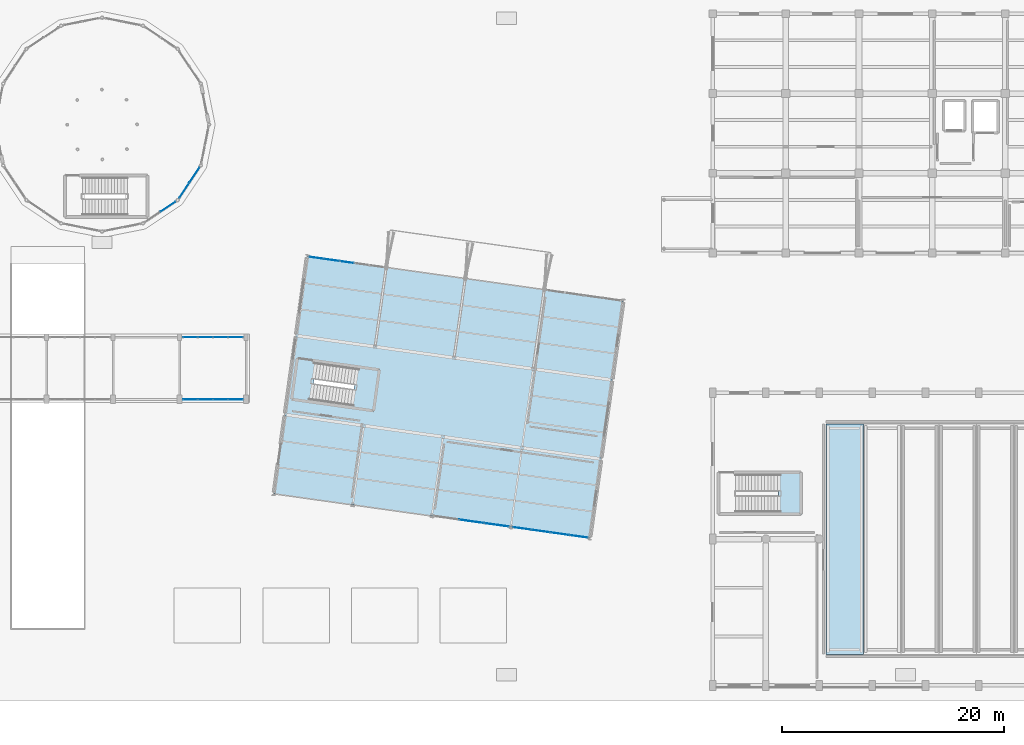
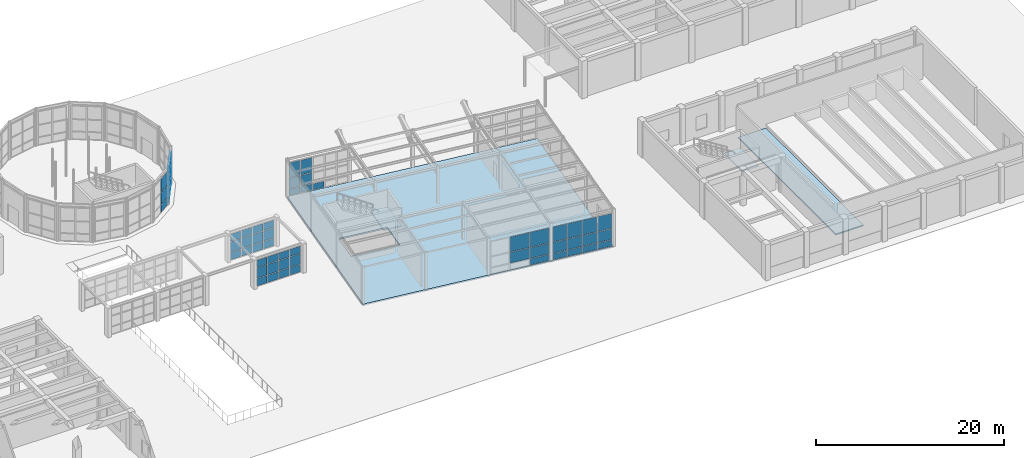
# One storey, part 34 of 57: 57 plates, 4 slabs, 9 elements without a shape of their own.
"""IFC4 building model written with IfcOpenShell, lengths in metres."""

from ifc_helpers import new_model, si_unit, direction, frame, origin, origin_2d, place, context, subcontext, project, spatial, polyline, rectangle, outline, extrude, material, layer, layer_set, type_object, element, aggregate, save


model = new_model("IFC4")

# Units and contexts
model_context = context("Model", 3, precision=1e-05, world=origin(), true_north=direction((0.0, 1.0)))
body_context = subcontext(model_context, "Body", "Model", "MODEL_VIEW")
ifc_project = project(units=[si_unit("LENGTHUNIT", "METRE"), si_unit("AREAUNIT", "SQUARE_METRE"), si_unit("VOLUMEUNIT", "CUBIC_METRE"), si_unit("PLANEANGLEUNIT", "RADIAN"), si_unit("MASSUNIT", "GRAM", prefix="KILO")], contexts=[model_context])

# Site, building, storey
site_placement = place(None, origin())
site = spatial("IfcSite", under=ifc_project, at=site_placement, CompositionType="ELEMENT")
building_placement = place(site_placement, origin())
building = spatial("IfcBuilding", under=site, at=building_placement, Name="Kharisveld Research Institute", CompositionType="ELEMENT")
storey_placement = place(building_placement, origin())
storey = spatial("IfcBuildingStorey", under=building, at=storey_placement, Name="L00", CompositionType="ELEMENT", Elevation=0.0)

# Curtain wall, plates
ifc_material_1 = material(Name="Thermally Broken Aluminium Curtain Wall", Category="aluminium")
ifc_layer_1 = layer(ifc_material_1, 0.159912109375)
ifc_layer_set_1 = layer_set([ifc_layer_1], Name="CW_SYS_03")
curtain_wall_type_1 = type_object("IfcCurtainWallType", Name="CW_SYS_03", PredefinedType="NOTDEFINED", material=ifc_layer_set_1)
curtain_wall_1_placement = place(storey_placement, origin())
curtain_wall_1 = element("IfcCurtainWall", 1, at=curtain_wall_1_placement, inside=storey, type_object=curtain_wall_type_1, Name="CW:V4:L00:N0", PredefinedType="NOTDEFINED")
ifc_material_2 = material(Name="Low-E Double Glazing", Category="glass")
ifc_layer_2 = layer(ifc_material_2, 0.028076171875)
ifc_layer_set_2 = layer_set([ifc_layer_2], Name="CW_PNL_GLZ")
plate_type_1 = type_object("IfcPlateType", Name="CW_PNL_GLZ", PredefinedType="CURTAIN_PANEL", material=ifc_layer_set_2)
plate_1_placement = place(storey_placement, frame((78.851318359375, 38.77099609375, 0.06494140625), z_axis=(0.0, 0.0, 1.0), x_axis=(0.990268070291, -0.139173089933, 0.0)))
plate_1 = element("IfcPlate", 2, at=plate_1_placement, type_object=plate_type_1, Name="CW-03 panel 1.1", PredefinedType="CURTAIN_PANEL", context=body_context, shape_type="SweptSolid", body=[
    extrude(rectangle(XDim=1.277099609375, YDim=0.028076171875, at=origin_2d()), origin(), (0.0, 0.0, 1.0), 0.802490234375),
])
plate_2_placement = place(storey_placement, frame((78.851318359375, 38.77099609375, 0.9326171875), z_axis=(0.0, 0.0, 1.0), x_axis=(0.990268070291, -0.139173089933, 0.0)))
plate_2 = element("IfcPlate", 3, at=plate_2_placement, type_object=plate_type_1, Name="CW-03 panel 1.2", PredefinedType="CURTAIN_PANEL", context=body_context, shape_type="SweptSolid", body=[
    extrude(rectangle(XDim=1.277099609375, YDim=0.028076171875, at=origin_2d()), origin(), (0.0, 0.0, 1.0), 1.385009765625),
])
plate_3_placement = place(storey_placement, frame((78.851318359375, 38.77099609375, 2.38232421875), z_axis=(0.0, 0.0, 1.0), x_axis=(0.990268070291, -0.139173089933, 0.0)))
plate_3 = element("IfcPlate", 4, at=plate_3_placement, type_object=plate_type_1, Name="CW-03 panel 1.3", PredefinedType="CURTAIN_PANEL", context=body_context, shape_type="SweptSolid", body=[
    extrude(rectangle(XDim=1.277099609375, YDim=0.028076171875, at=origin_2d()), origin(), (0.0, 0.0, 1.0), 1.9326171875),
])
plate_4_placement = place(storey_placement, frame((80.20263671875, 38.5810546875, 0.06494140625), z_axis=(0.0, 0.0, 1.0), x_axis=(0.990268070291, -0.139173089933, 0.0)))
plate_4 = element("IfcPlate", 5, at=plate_4_placement, type_object=plate_type_1, Name="CW-03 panel 2.1", PredefinedType="CURTAIN_PANEL", context=body_context, shape_type="SweptSolid", body=[
    extrude(rectangle(XDim=1.31201171875, YDim=0.028076171875, at=origin_2d()), origin(), (0.0, 0.0, 1.0), 0.802490234375),
])
plate_5_placement = place(storey_placement, frame((80.20263671875, 38.5810546875, 0.9326171875), z_axis=(0.0, 0.0, 1.0), x_axis=(0.990268070291, -0.139173089933, 0.0)))
plate_5 = element("IfcPlate", 6, at=plate_5_placement, type_object=plate_type_1, Name="CW-03 panel 2.2", PredefinedType="CURTAIN_PANEL", context=body_context, shape_type="SweptSolid", body=[
    extrude(rectangle(XDim=1.31201171875, YDim=0.028076171875, at=origin_2d()), origin(), (0.0, 0.0, 1.0), 1.385009765625),
])
plate_6_placement = place(storey_placement, frame((80.20263671875, 38.5810546875, 2.38232421875), z_axis=(0.0, 0.0, 1.0), x_axis=(0.990268070291, -0.139173089933, 0.0)))
plate_6 = element("IfcPlate", 7, at=plate_6_placement, type_object=plate_type_1, Name="CW-03 panel 2.3", PredefinedType="CURTAIN_PANEL", context=body_context, shape_type="SweptSolid", body=[
    extrude(rectangle(XDim=1.31201171875, YDim=0.028076171875, at=origin_2d()), origin(), (0.0, 0.0, 1.0), 1.9326171875),
])
plate_7_placement = place(storey_placement, frame((81.571044921875, 38.388671875, 0.06494140625), z_axis=(0.0, 0.0, 1.0), x_axis=(0.990268070291, -0.139173089933, 0.0)))
plate_7 = element("IfcPlate", 8, at=plate_7_placement, type_object=plate_type_1, Name="CW-03 panel 3.1", PredefinedType="CURTAIN_PANEL", context=body_context, shape_type="SweptSolid", body=[
    extrude(rectangle(XDim=1.31201171875, YDim=0.028076171875, at=origin_2d()), origin(), (0.0, 0.0, 1.0), 0.802490234375),
])
aggregate(curtain_wall_1, [plate_1, plate_2, plate_3, plate_4, plate_5, plate_6, plate_7])

ifc_material_3 = material(Name="Thermally Broken Aluminium Curtain Wall", Category="aluminium")
ifc_layer_3 = layer(ifc_material_3, 0.159912109375)
ifc_layer_set_3 = layer_set([ifc_layer_3], Name="CW_SYS_05")
curtain_wall_type_2 = type_object("IfcCurtainWallType", Name="CW_SYS_05", PredefinedType="NOTDEFINED", material=ifc_layer_set_3)
curtain_wall_2_placement = place(storey_placement, origin())
curtain_wall_2 = element("IfcCurtainWall", 9, at=curtain_wall_2_placement, inside=storey, type_object=curtain_wall_type_2, Name="CW:V4:L00:S4", PredefinedType="NOTDEFINED")
plate_8_placement = place(storey_placement, frame((102.50341796875, 13.634521484375, 0.06494140625), z_axis=(0.0, 0.0, 1.0), x_axis=(-0.990268070291, 0.139173089933, 0.0)))
plate_8 = element("IfcPlate", 10, at=plate_8_placement, type_object=plate_type_1, Name="CW-05 panel 1.1", PredefinedType="CURTAIN_PANEL", context=body_context, shape_type="SweptSolid", body=[
    extrude(rectangle(XDim=1.62255859375, YDim=0.028076171875, at=origin_2d()), origin(), (0.0, 0.0, 1.0), 0.802490234375),
])
plate_9_placement = place(storey_placement, frame((102.50341796875, 13.634521484375, 0.9326171875), z_axis=(0.0, 0.0, 1.0), x_axis=(-0.990268070291, 0.139173089933, 0.0)))
plate_9 = element("IfcPlate", 11, at=plate_9_placement, type_object=plate_type_1, Name="CW-05 panel 1.2", PredefinedType="CURTAIN_PANEL", context=body_context, shape_type="SweptSolid", body=[
    extrude(rectangle(XDim=1.62255859375, YDim=0.028076171875, at=origin_2d()), origin(), (0.0, 0.0, 1.0), 1.385009765625),
])
plate_10_placement = place(storey_placement, frame((102.50341796875, 13.634521484375, 2.38232421875), z_axis=(0.0, 0.0, 1.0), x_axis=(-0.990268070291, 0.139173089933, 0.0)))
plate_10 = element("IfcPlate", 12, at=plate_10_placement, type_object=plate_type_1, Name="CW-05 panel 1.3", PredefinedType="CURTAIN_PANEL", context=body_context, shape_type="SweptSolid", body=[
    extrude(rectangle(XDim=1.62255859375, YDim=0.028076171875, at=origin_2d()), origin(), (0.0, 0.0, 1.0), 1.9326171875),
])
plate_11_placement = place(storey_placement, frame((100.81005859375, 13.87255859375, 0.06494140625), z_axis=(0.0, 0.0, 1.0), x_axis=(-0.990268070291, 0.139173089933, 0.0)))
plate_11 = element("IfcPlate", 13, at=plate_11_placement, type_object=plate_type_1, Name="CW-05 panel 2.1", PredefinedType="CURTAIN_PANEL", context=body_context, shape_type="SweptSolid", body=[
    extrude(rectangle(XDim=1.657470703125, YDim=0.028076171875, at=origin_2d()), origin(), (0.0, 0.0, 1.0), 0.802490234375),
])
plate_12_placement = place(storey_placement, frame((100.81005859375, 13.87255859375, 0.9326171875), z_axis=(0.0, 0.0, 1.0), x_axis=(-0.990268070291, 0.139173089933, 0.0)))
plate_12 = element("IfcPlate", 14, at=plate_12_placement, type_object=plate_type_1, Name="CW-05 panel 2.2", PredefinedType="CURTAIN_PANEL", context=body_context, shape_type="SweptSolid", body=[
    extrude(rectangle(XDim=1.657470703125, YDim=0.028076171875, at=origin_2d()), origin(), (0.0, 0.0, 1.0), 1.385009765625),
])
plate_13_placement = place(storey_placement, frame((100.81005859375, 13.87255859375, 2.38232421875), z_axis=(0.0, 0.0, 1.0), x_axis=(-0.990268070291, 0.139173089933, 0.0)))
plate_13 = element("IfcPlate", 15, at=plate_13_placement, type_object=plate_type_1, Name="CW-05 panel 2.3", PredefinedType="CURTAIN_PANEL", context=body_context, shape_type="SweptSolid", body=[
    extrude(rectangle(XDim=1.657470703125, YDim=0.028076171875, at=origin_2d()), origin(), (0.0, 0.0, 1.0), 1.9326171875),
])
plate_14_placement = place(storey_placement, frame((99.099365234375, 14.113037109375, 0.06494140625), z_axis=(0.0, 0.0, 1.0), x_axis=(-0.990268070291, 0.139173089933, 0.0)))
plate_14 = element("IfcPlate", 16, at=plate_14_placement, type_object=plate_type_1, Name="CW-05 panel 3.1", PredefinedType="CURTAIN_PANEL", context=body_context, shape_type="SweptSolid", body=[
    extrude(rectangle(XDim=1.657470703125, YDim=0.028076171875, at=origin_2d()), origin(), (0.0, 0.0, 1.0), 0.802490234375),
])
plate_15_placement = place(storey_placement, frame((99.099365234375, 14.113037109375, 0.9326171875), z_axis=(0.0, 0.0, 1.0), x_axis=(-0.990268070291, 0.139173089933, 0.0)))
plate_15 = element("IfcPlate", 17, at=plate_15_placement, type_object=plate_type_1, Name="CW-05 panel 3.2", PredefinedType="CURTAIN_PANEL", context=body_context, shape_type="SweptSolid", body=[
    extrude(rectangle(XDim=1.657470703125, YDim=0.028076171875, at=origin_2d()), origin(), (0.0, 0.0, 1.0), 1.385009765625),
])
plate_16_placement = place(storey_placement, frame((99.099365234375, 14.113037109375, 2.38232421875), z_axis=(0.0, 0.0, 1.0), x_axis=(-0.990268070291, 0.139173089933, 0.0)))
plate_16 = element("IfcPlate", 18, at=plate_16_placement, type_object=plate_type_1, Name="CW-05 panel 3.3", PredefinedType="CURTAIN_PANEL", context=body_context, shape_type="SweptSolid", body=[
    extrude(rectangle(XDim=1.657470703125, YDim=0.028076171875, at=origin_2d()), origin(), (0.0, 0.0, 1.0), 1.9326171875),
])
plate_17_placement = place(storey_placement, frame((97.406005859375, 14.35107421875, 0.06494140625), z_axis=(0.0, 0.0, 1.0), x_axis=(-0.990268070291, 0.139173089933, 0.0)))
plate_17 = element("IfcPlate", 19, at=plate_17_placement, type_object=plate_type_1, Name="CW-05 panel 4.1", PredefinedType="CURTAIN_PANEL", context=body_context, shape_type="SweptSolid", body=[
    extrude(rectangle(XDim=1.62255859375, YDim=0.028076171875, at=origin_2d()), origin(), (0.0, 0.0, 1.0), 0.802490234375),
])
plate_18_placement = place(storey_placement, frame((97.406005859375, 14.35107421875, 0.9326171875), z_axis=(0.0, 0.0, 1.0), x_axis=(-0.990268070291, 0.139173089933, 0.0)))
plate_18 = element("IfcPlate", 20, at=plate_18_placement, type_object=plate_type_1, Name="CW-05 panel 4.2", PredefinedType="CURTAIN_PANEL", context=body_context, shape_type="SweptSolid", body=[
    extrude(rectangle(XDim=1.62255859375, YDim=0.028076171875, at=origin_2d()), origin(), (0.0, 0.0, 1.0), 1.385009765625),
])
plate_19_placement = place(storey_placement, frame((97.406005859375, 14.35107421875, 2.38232421875), z_axis=(0.0, 0.0, 1.0), x_axis=(-0.990268070291, 0.139173089933, 0.0)))
plate_19 = element("IfcPlate", 21, at=plate_19_placement, type_object=plate_type_1, Name="CW-05 panel 4.3", PredefinedType="CURTAIN_PANEL", context=body_context, shape_type="SweptSolid", body=[
    extrude(rectangle(XDim=1.62255859375, YDim=0.028076171875, at=origin_2d()), origin(), (0.0, 0.0, 1.0), 1.9326171875),
])
aggregate(curtain_wall_2, [plate_8, plate_9, plate_10, plate_11, plate_12, plate_13, plate_14, plate_15, plate_16, plate_17, plate_18, plate_19])

ifc_material_4 = material(Name="Thermally Broken Aluminium Curtain Wall", Category="aluminium")
ifc_layer_4 = layer(ifc_material_4, 0.159912109375)
ifc_layer_set_4 = layer_set([ifc_layer_4], Name="CW_SYS_04")
curtain_wall_type_3 = type_object("IfcCurtainWallType", Name="CW_SYS_04", PredefinedType="NOTDEFINED", material=ifc_layer_set_4)
curtain_wall_3_placement = place(storey_placement, origin())
curtain_wall_3 = element("IfcCurtainWall", 22, at=curtain_wall_3_placement, inside=storey, type_object=curtain_wall_type_3, Name="CW:V6:L00:CHORD13", PredefinedType="NOTDEFINED")
plate_20_placement = place(storey_placement, frame((65.43798828125, 43.384765625, 0.06005859375), z_axis=(0.0, 0.0, 1.0), x_axis=(-0.831469694616, -0.555570109828, 0.0)))
plate_20 = element("IfcPlate", 23, at=plate_20_placement, type_object=plate_type_1, Name="CW-04 panel 1.1", PredefinedType="CURTAIN_PANEL", context=body_context, shape_type="SweptSolid", body=[
    extrude(rectangle(XDim=1.570068359375, YDim=0.028076171875, at=origin_2d()), origin(), (0.0, 0.0, 1.0), 0.9599609375),
])
plate_21_placement = place(storey_placement, frame((65.43798828125, 43.384765625, 1.080078125), z_axis=(0.0, 0.0, 1.0), x_axis=(-0.831469694616, -0.555570109828, 0.0)))
plate_21 = element("IfcPlate", 24, at=plate_21_placement, type_object=plate_type_1, Name="CW-04 panel 1.2", PredefinedType="CURTAIN_PANEL", context=body_context, shape_type="SweptSolid", body=[
    extrude(rectangle(XDim=1.570068359375, YDim=0.028076171875, at=origin_2d()), origin(), (0.0, 0.0, 1.0), 1.5400390625),
])
plate_22_placement = place(storey_placement, frame((65.43798828125, 43.384765625, 2.679931640625), z_axis=(0.0, 0.0, 1.0), x_axis=(-0.831469694616, -0.555570109828, 0.0)))
plate_22 = element("IfcPlate", 25, at=plate_22_placement, type_object=plate_type_1, Name="CW-04 panel 1.3", PredefinedType="CURTAIN_PANEL", context=body_context, shape_type="SweptSolid", body=[
    extrude(rectangle(XDim=1.570068359375, YDim=0.028076171875, at=origin_2d()), origin(), (0.0, 0.0, 1.0), 1.7099609375),
])
aggregate(curtain_wall_3, [plate_20, plate_21, plate_22])

curtain_wall_4_placement = place(storey_placement, origin())
curtain_wall_4 = element("IfcCurtainWall", 26, at=curtain_wall_4_placement, inside=storey, type_object=curtain_wall_type_2, Name="CW:V6:L00:CHORD14", PredefinedType="NOTDEFINED")
plate_23_placement = place(storey_placement, frame((67.82373046875, 46.221435546875, 0.06005859375), z_axis=(0.0, 0.0, 1.0), x_axis=(-0.555570109828, -0.831469694616, 0.0)))
plate_23 = element("IfcPlate", 27, at=plate_23_placement, type_object=plate_type_1, Name="CW-05 panel 1.1", PredefinedType="CURTAIN_PANEL", context=body_context, shape_type="SweptSolid", body=[
    extrude(rectangle(XDim=1.570068359375, YDim=0.028076171875, at=origin_2d()), origin(), (0.0, 0.0, 1.0), 0.9599609375),
])
plate_24_placement = place(storey_placement, frame((67.82373046875, 46.221435546875, 1.080078125), z_axis=(0.0, 0.0, 1.0), x_axis=(-0.555570109828, -0.831469694616, 0.0)))
plate_24 = element("IfcPlate", 28, at=plate_24_placement, type_object=plate_type_1, Name="CW-05 panel 1.2", PredefinedType="CURTAIN_PANEL", context=body_context, shape_type="SweptSolid", body=[
    extrude(rectangle(XDim=1.570068359375, YDim=0.028076171875, at=origin_2d()), origin(), (0.0, 0.0, 1.0), 1.5400390625),
])
plate_25_placement = place(storey_placement, frame((67.82373046875, 46.221435546875, 2.679931640625), z_axis=(0.0, 0.0, 1.0), x_axis=(-0.555570109828, -0.831469694616, 0.0)))
plate_25 = element("IfcPlate", 29, at=plate_25_placement, type_object=plate_type_1, Name="CW-05 panel 1.3", PredefinedType="CURTAIN_PANEL", context=body_context, shape_type="SweptSolid", body=[
    extrude(rectangle(XDim=1.570068359375, YDim=0.028076171875, at=origin_2d()), origin(), (0.0, 0.0, 1.0), 1.7099609375),
])
plate_26_placement = place(storey_placement, frame((66.915283203125, 44.862060546875, 0.06005859375), z_axis=(0.0, 0.0, 1.0), x_axis=(-0.555570109828, -0.831469694616, 0.0)))
plate_26 = element("IfcPlate", 30, at=plate_26_placement, type_object=plate_type_1, Name="CW-05 panel 2.1", PredefinedType="CURTAIN_PANEL", context=body_context, shape_type="SweptSolid", body=[
    extrude(rectangle(XDim=1.570068359375, YDim=0.028076171875, at=origin_2d()), origin(), (0.0, 0.0, 1.0), 0.9599609375),
])
plate_27_placement = place(storey_placement, frame((66.915283203125, 44.862060546875, 1.080078125), z_axis=(0.0, 0.0, 1.0), x_axis=(-0.555570109828, -0.831469694616, 0.0)))
plate_27 = element("IfcPlate", 31, at=plate_27_placement, type_object=plate_type_1, Name="CW-05 panel 2.2", PredefinedType="CURTAIN_PANEL", context=body_context, shape_type="SweptSolid", body=[
    extrude(rectangle(XDim=1.570068359375, YDim=0.028076171875, at=origin_2d()), origin(), (0.0, 0.0, 1.0), 1.5400390625),
])
plate_28_placement = place(storey_placement, frame((66.915283203125, 44.862060546875, 2.679931640625), z_axis=(0.0, 0.0, 1.0), x_axis=(-0.555570109828, -0.831469694616, 0.0)))
plate_28 = element("IfcPlate", 32, at=plate_28_placement, type_object=plate_type_1, Name="CW-05 panel 2.3", PredefinedType="CURTAIN_PANEL", context=body_context, shape_type="SweptSolid", body=[
    extrude(rectangle(XDim=1.570068359375, YDim=0.028076171875, at=origin_2d()), origin(), (0.0, 0.0, 1.0), 1.7099609375),
])
aggregate(curtain_wall_4, [plate_23, plate_24, plate_25, plate_26, plate_27, plate_28])

ifc_material_5 = material(Name="Thermally Broken Aluminium Curtain Wall", Category="aluminium")
ifc_layer_5 = layer(ifc_material_5, 0.159912109375)
ifc_layer_set_5 = layer_set([ifc_layer_5], Name="CW_SYS_02")
curtain_wall_type_4 = type_object("IfcCurtainWallType", Name="CW_SYS_02", PredefinedType="NOTDEFINED", material=ifc_layer_set_5)
curtain_wall_5_placement = place(storey_placement, origin())
curtain_wall_5 = element("IfcCurtainWall", 33, at=curtain_wall_5_placement, inside=storey, type_object=curtain_wall_type_4, Name="CW:ARC:L00:S4", PredefinedType="NOTDEFINED")
plate_29_placement = place(storey_placement, frame((71.538818359375, 26.0, 0.06005859375), z_axis=(0.0, 0.0, 1.0), x_axis=(-1.0, 0.0, 0.0)))
plate_29 = element("IfcPlate", 34, at=plate_29_placement, type_object=plate_type_1, Name="CW-02 panel 1.1", PredefinedType="CURTAIN_PANEL", context=body_context, shape_type="SweptSolid", body=[
    extrude(rectangle(XDim=1.2724609375, YDim=0.028076171875, at=origin_2d()), origin(), (0.0, 0.0, 1.0), 0.9599609375),
])
plate_30_placement = place(storey_placement, frame((71.538818359375, 26.0, 1.080078125), z_axis=(0.0, 0.0, 1.0), x_axis=(-1.0, 0.0, 0.0)))
plate_30 = element("IfcPlate", 35, at=plate_30_placement, type_object=plate_type_1, Name="CW-02 panel 1.2", PredefinedType="CURTAIN_PANEL", context=body_context, shape_type="SweptSolid", body=[
    extrude(rectangle(XDim=1.2724609375, YDim=0.028076171875, at=origin_2d()), origin(), (0.0, 0.0, 1.0), 1.340087890625),
])
plate_31_placement = place(storey_placement, frame((71.538818359375, 26.0, 2.47998046875), z_axis=(0.0, 0.0, 1.0), x_axis=(-1.0, 0.0, 0.0)))
plate_31 = element("IfcPlate", 36, at=plate_31_placement, type_object=plate_type_1, Name="CW-02 panel 1.3", PredefinedType="CURTAIN_PANEL", context=body_context, shape_type="SweptSolid", body=[
    extrude(rectangle(XDim=1.2724609375, YDim=0.028076171875, at=origin_2d()), origin(), (0.0, 0.0, 1.0), 0.93994140625),
])
plate_32_placement = place(storey_placement, frame((70.18505859375, 26.0, 0.06005859375), z_axis=(0.0, 0.0, 1.0), x_axis=(-1.0, 0.0, 0.0)))
plate_32 = element("IfcPlate", 37, at=plate_32_placement, type_object=plate_type_1, Name="CW-02 panel 2.1", PredefinedType="CURTAIN_PANEL", context=body_context, shape_type="SweptSolid", body=[
    extrude(rectangle(XDim=1.304931640625, YDim=0.028076171875, at=origin_2d()), origin(), (0.0, 0.0, 1.0), 0.9599609375),
])
plate_33_placement = place(storey_placement, frame((70.18505859375, 26.0, 1.080078125), z_axis=(0.0, 0.0, 1.0), x_axis=(-1.0, 0.0, 0.0)))
plate_33 = element("IfcPlate", 38, at=plate_33_placement, type_object=plate_type_1, Name="CW-02 panel 2.2", PredefinedType="CURTAIN_PANEL", context=body_context, shape_type="SweptSolid", body=[
    extrude(rectangle(XDim=1.304931640625, YDim=0.028076171875, at=origin_2d()), origin(), (0.0, 0.0, 1.0), 1.340087890625),
])
plate_34_placement = place(storey_placement, frame((70.18505859375, 26.0, 2.47998046875), z_axis=(0.0, 0.0, 1.0), x_axis=(-1.0, 0.0, 0.0)))
plate_34 = element("IfcPlate", 39, at=plate_34_placement, type_object=plate_type_1, Name="CW-02 panel 2.3", PredefinedType="CURTAIN_PANEL", context=body_context, shape_type="SweptSolid", body=[
    extrude(rectangle(XDim=1.304931640625, YDim=0.028076171875, at=origin_2d()), origin(), (0.0, 0.0, 1.0), 0.93994140625),
])
plate_35_placement = place(storey_placement, frame((68.81494140625, 26.0, 0.06005859375), z_axis=(0.0, 0.0, 1.0), x_axis=(-1.0, 0.0, 0.0)))
plate_35 = element("IfcPlate", 40, at=plate_35_placement, type_object=plate_type_1, Name="CW-02 panel 3.1", PredefinedType="CURTAIN_PANEL", context=body_context, shape_type="SweptSolid", body=[
    extrude(rectangle(XDim=1.304931640625, YDim=0.028076171875, at=origin_2d()), origin(), (0.0, 0.0, 1.0), 0.9599609375),
])
plate_36_placement = place(storey_placement, frame((68.81494140625, 26.0, 1.080078125), z_axis=(0.0, 0.0, 1.0), x_axis=(-1.0, 0.0, 0.0)))
plate_36 = element("IfcPlate", 41, at=plate_36_placement, type_object=plate_type_1, Name="CW-02 panel 3.2", PredefinedType="CURTAIN_PANEL", context=body_context, shape_type="SweptSolid", body=[
    extrude(rectangle(XDim=1.304931640625, YDim=0.028076171875, at=origin_2d()), origin(), (0.0, 0.0, 1.0), 1.340087890625),
])
plate_37_placement = place(storey_placement, frame((68.81494140625, 26.0, 2.47998046875), z_axis=(0.0, 0.0, 1.0), x_axis=(-1.0, 0.0, 0.0)))
plate_37 = element("IfcPlate", 42, at=plate_37_placement, type_object=plate_type_1, Name="CW-02 panel 3.3", PredefinedType="CURTAIN_PANEL", context=body_context, shape_type="SweptSolid", body=[
    extrude(rectangle(XDim=1.304931640625, YDim=0.028076171875, at=origin_2d()), origin(), (0.0, 0.0, 1.0), 0.93994140625),
])
plate_38_placement = place(storey_placement, frame((67.461181640625, 26.0, 0.06005859375), z_axis=(0.0, 0.0, 1.0), x_axis=(-1.0, 0.0, 0.0)))
plate_38 = element("IfcPlate", 43, at=plate_38_placement, type_object=plate_type_1, Name="CW-02 panel 4.1", PredefinedType="CURTAIN_PANEL", context=body_context, shape_type="SweptSolid", body=[
    extrude(rectangle(XDim=1.2724609375, YDim=0.028076171875, at=origin_2d()), origin(), (0.0, 0.0, 1.0), 0.9599609375),
])
plate_39_placement = place(storey_placement, frame((67.461181640625, 26.0, 1.080078125), z_axis=(0.0, 0.0, 1.0), x_axis=(-1.0, 0.0, 0.0)))
plate_39 = element("IfcPlate", 44, at=plate_39_placement, type_object=plate_type_1, Name="CW-02 panel 4.2", PredefinedType="CURTAIN_PANEL", context=body_context, shape_type="SweptSolid", body=[
    extrude(rectangle(XDim=1.2724609375, YDim=0.028076171875, at=origin_2d()), origin(), (0.0, 0.0, 1.0), 1.340087890625),
])
plate_40_placement = place(storey_placement, frame((67.461181640625, 26.0, 2.47998046875), z_axis=(0.0, 0.0, 1.0), x_axis=(-1.0, 0.0, 0.0)))
plate_40 = element("IfcPlate", 45, at=plate_40_placement, type_object=plate_type_1, Name="CW-02 panel 4.3", PredefinedType="CURTAIN_PANEL", context=body_context, shape_type="SweptSolid", body=[
    extrude(rectangle(XDim=1.2724609375, YDim=0.028076171875, at=origin_2d()), origin(), (0.0, 0.0, 1.0), 0.93994140625),
])
aggregate(curtain_wall_5, [plate_29, plate_30, plate_31, plate_32, plate_33, plate_34, plate_35, plate_36, plate_37, plate_38, plate_39, plate_40])

curtain_wall_6_placement = place(storey_placement, origin())
curtain_wall_6 = element("IfcCurtainWall", 46, at=curtain_wall_6_placement, inside=storey, type_object=curtain_wall_type_4, Name="CW:ARC:L00:N4", PredefinedType="NOTDEFINED")
plate_41_placement = place(storey_placement, frame((67.461181640625, 31.60009765625, 0.06005859375), z_axis=(0.0, 0.0, 1.0), x_axis=(1.0, 0.0, 0.0)))
plate_41 = element("IfcPlate", 47, at=plate_41_placement, type_object=plate_type_1, Name="CW-02 panel 1.1", PredefinedType="CURTAIN_PANEL", context=body_context, shape_type="SweptSolid", body=[
    extrude(rectangle(XDim=1.2724609375, YDim=0.028076171875, at=origin_2d()), origin(), (0.0, 0.0, 1.0), 0.9599609375),
])
plate_42_placement = place(storey_placement, frame((67.461181640625, 31.60009765625, 1.080078125), z_axis=(0.0, 0.0, 1.0), x_axis=(1.0, 0.0, 0.0)))
plate_42 = element("IfcPlate", 48, at=plate_42_placement, type_object=plate_type_1, Name="CW-02 panel 1.2", PredefinedType="CURTAIN_PANEL", context=body_context, shape_type="SweptSolid", body=[
    extrude(rectangle(XDim=1.2724609375, YDim=0.028076171875, at=origin_2d()), origin(), (0.0, 0.0, 1.0), 1.340087890625),
])
plate_43_placement = place(storey_placement, frame((67.461181640625, 31.60009765625, 2.47998046875), z_axis=(0.0, 0.0, 1.0), x_axis=(1.0, 0.0, 0.0)))
plate_43 = element("IfcPlate", 49, at=plate_43_placement, type_object=plate_type_1, Name="CW-02 panel 1.3", PredefinedType="CURTAIN_PANEL", context=body_context, shape_type="SweptSolid", body=[
    extrude(rectangle(XDim=1.2724609375, YDim=0.028076171875, at=origin_2d()), origin(), (0.0, 0.0, 1.0), 0.93994140625),
])
plate_44_placement = place(storey_placement, frame((68.81494140625, 31.60009765625, 0.06005859375), z_axis=(0.0, 0.0, 1.0), x_axis=(1.0, 0.0, 0.0)))
plate_44 = element("IfcPlate", 50, at=plate_44_placement, type_object=plate_type_1, Name="CW-02 panel 2.1", PredefinedType="CURTAIN_PANEL", context=body_context, shape_type="SweptSolid", body=[
    extrude(rectangle(XDim=1.304931640625, YDim=0.028076171875, at=origin_2d()), origin(), (0.0, 0.0, 1.0), 0.9599609375),
])
plate_45_placement = place(storey_placement, frame((68.81494140625, 31.60009765625, 1.080078125), z_axis=(0.0, 0.0, 1.0), x_axis=(1.0, 0.0, 0.0)))
plate_45 = element("IfcPlate", 51, at=plate_45_placement, type_object=plate_type_1, Name="CW-02 panel 2.2", PredefinedType="CURTAIN_PANEL", context=body_context, shape_type="SweptSolid", body=[
    extrude(rectangle(XDim=1.304931640625, YDim=0.028076171875, at=origin_2d()), origin(), (0.0, 0.0, 1.0), 1.340087890625),
])
plate_46_placement = place(storey_placement, frame((68.81494140625, 31.60009765625, 2.47998046875), z_axis=(0.0, 0.0, 1.0), x_axis=(1.0, 0.0, 0.0)))
plate_46 = element("IfcPlate", 52, at=plate_46_placement, type_object=plate_type_1, Name="CW-02 panel 2.3", PredefinedType="CURTAIN_PANEL", context=body_context, shape_type="SweptSolid", body=[
    extrude(rectangle(XDim=1.304931640625, YDim=0.028076171875, at=origin_2d()), origin(), (0.0, 0.0, 1.0), 0.93994140625),
])
plate_47_placement = place(storey_placement, frame((70.18505859375, 31.60009765625, 0.06005859375), z_axis=(0.0, 0.0, 1.0), x_axis=(1.0, 0.0, 0.0)))
plate_47 = element("IfcPlate", 53, at=plate_47_placement, type_object=plate_type_1, Name="CW-02 panel 3.1", PredefinedType="CURTAIN_PANEL", context=body_context, shape_type="SweptSolid", body=[
    extrude(rectangle(XDim=1.304931640625, YDim=0.028076171875, at=origin_2d()), origin(), (0.0, 0.0, 1.0), 0.9599609375),
])
plate_48_placement = place(storey_placement, frame((70.18505859375, 31.60009765625, 1.080078125), z_axis=(0.0, 0.0, 1.0), x_axis=(1.0, 0.0, 0.0)))
plate_48 = element("IfcPlate", 54, at=plate_48_placement, type_object=plate_type_1, Name="CW-02 panel 3.2", PredefinedType="CURTAIN_PANEL", context=body_context, shape_type="SweptSolid", body=[
    extrude(rectangle(XDim=1.304931640625, YDim=0.028076171875, at=origin_2d()), origin(), (0.0, 0.0, 1.0), 1.340087890625),
])
plate_49_placement = place(storey_placement, frame((70.18505859375, 31.60009765625, 2.47998046875), z_axis=(0.0, 0.0, 1.0), x_axis=(1.0, 0.0, 0.0)))
plate_49 = element("IfcPlate", 55, at=plate_49_placement, type_object=plate_type_1, Name="CW-02 panel 3.3", PredefinedType="CURTAIN_PANEL", context=body_context, shape_type="SweptSolid", body=[
    extrude(rectangle(XDim=1.304931640625, YDim=0.028076171875, at=origin_2d()), origin(), (0.0, 0.0, 1.0), 0.93994140625),
])
plate_50_placement = place(storey_placement, frame((71.538818359375, 31.60009765625, 0.06005859375), z_axis=(0.0, 0.0, 1.0), x_axis=(1.0, 0.0, 0.0)))
plate_50 = element("IfcPlate", 56, at=plate_50_placement, type_object=plate_type_1, Name="CW-02 panel 4.1", PredefinedType="CURTAIN_PANEL", context=body_context, shape_type="SweptSolid", body=[
    extrude(rectangle(XDim=1.2724609375, YDim=0.028076171875, at=origin_2d()), origin(), (0.0, 0.0, 1.0), 0.9599609375),
])
plate_51_placement = place(storey_placement, frame((71.538818359375, 31.60009765625, 1.080078125), z_axis=(0.0, 0.0, 1.0), x_axis=(1.0, 0.0, 0.0)))
plate_51 = element("IfcPlate", 57, at=plate_51_placement, type_object=plate_type_1, Name="CW-02 panel 4.2", PredefinedType="CURTAIN_PANEL", context=body_context, shape_type="SweptSolid", body=[
    extrude(rectangle(XDim=1.2724609375, YDim=0.028076171875, at=origin_2d()), origin(), (0.0, 0.0, 1.0), 1.340087890625),
])
plate_52_placement = place(storey_placement, frame((71.538818359375, 31.60009765625, 2.47998046875), z_axis=(0.0, 0.0, 1.0), x_axis=(1.0, 0.0, 0.0)))
plate_52 = element("IfcPlate", 58, at=plate_52_placement, type_object=plate_type_1, Name="CW-02 panel 4.3", PredefinedType="CURTAIN_PANEL", context=body_context, shape_type="SweptSolid", body=[
    extrude(rectangle(XDim=1.2724609375, YDim=0.028076171875, at=origin_2d()), origin(), (0.0, 0.0, 1.0), 0.93994140625),
])
aggregate(curtain_wall_6, [plate_41, plate_42, plate_43, plate_44, plate_45, plate_46, plate_47, plate_48, plate_49, plate_50, plate_51, plate_52])

ifc_material_6 = material(Name="Thermally Broken Aluminium Curtain Wall", Category="aluminium")
ifc_layer_6 = layer(ifc_material_6, 0.159912109375)
ifc_layer_set_6 = layer_set([ifc_layer_6], Name="CW_SYS_06")
curtain_wall_type_5 = type_object("IfcCurtainWallType", Name="CW_SYS_06", PredefinedType="NOTDEFINED", material=ifc_layer_set_6)
curtain_wall_7_placement = place(storey_placement, origin())
curtain_wall_7 = element("IfcCurtainWall", 59, at=curtain_wall_7_placement, inside=storey, type_object=curtain_wall_type_5, Name="CW:V4:L00:S3", PredefinedType="NOTDEFINED")
ifc_material_7 = material(Name="Insulated Spandrel Glazing", Category="glass")
ifc_layer_7 = layer(ifc_material_7, 0.035888671875)
ifc_layer_set_7 = layer_set([ifc_layer_7], Name="CW_PNL_SPD")
plate_type_2 = type_object("IfcPlateType", Name="CW_PNL_SPD", PredefinedType="CURTAIN_PANEL", material=ifc_layer_set_7)
plate_53_placement = place(storey_placement, frame((95.08837890625, 14.6767578125, 0.06494140625), z_axis=(0.0, 0.0, 1.0), x_axis=(-0.990268070291, 0.139173089933, 0.0)))
plate_53 = element("IfcPlate", 60, at=plate_53_placement, type_object=plate_type_2, Name="CW-06 panel 1.1", PredefinedType="CURTAIN_PANEL", context=body_context, shape_type="SweptSolid", body=[
    extrude(rectangle(XDim=2.1982421875, YDim=0.035888671875, at=origin_2d()), origin(), (0.0, 0.0, 1.0), 0.802490234375),
])
plate_54_placement = place(storey_placement, frame((95.08837890625, 14.6767578125, 0.9326171875), z_axis=(0.0, 0.0, 1.0), x_axis=(-0.990268070291, 0.139173089933, 0.0)))
plate_54 = element("IfcPlate", 61, at=plate_54_placement, type_object=plate_type_2, Name="CW-06 panel 1.2", PredefinedType="CURTAIN_PANEL", context=body_context, shape_type="SweptSolid", body=[
    extrude(rectangle(XDim=2.1982421875, YDim=0.035888671875, at=origin_2d()), origin(), (0.0, 0.0, 1.0), 1.385009765625),
])
plate_55_placement = place(storey_placement, frame((95.08837890625, 14.6767578125, 2.38232421875), z_axis=(0.0, 0.0, 1.0), x_axis=(-0.990268070291, 0.139173089933, 0.0)))
plate_55 = element("IfcPlate", 62, at=plate_55_placement, type_object=plate_type_2, Name="CW-06 panel 1.3", PredefinedType="CURTAIN_PANEL", context=body_context, shape_type="SweptSolid", body=[
    extrude(rectangle(XDim=2.1982421875, YDim=0.035888671875, at=origin_2d()), origin(), (0.0, 0.0, 1.0), 1.9326171875),
])
plate_56_placement = place(storey_placement, frame((92.82470703125, 14.994873046875, 0.9326171875), z_axis=(0.0, 0.0, 1.0), x_axis=(-0.990268070291, 0.139173089933, 0.0)))
plate_56 = element("IfcPlate", 63, at=plate_56_placement, type_object=plate_type_2, Name="CW-06 panel 2.2", PredefinedType="CURTAIN_PANEL", context=body_context, shape_type="SweptSolid", body=[
    extrude(rectangle(XDim=2.2333984375, YDim=0.035888671875, at=origin_2d()), origin(), (0.0, 0.0, 1.0), 1.385009765625),
])
plate_57_placement = place(storey_placement, frame((92.82470703125, 14.994873046875, 2.38232421875), z_axis=(0.0, 0.0, 1.0), x_axis=(-0.990268070291, 0.139173089933, 0.0)))
plate_57 = element("IfcPlate", 64, at=plate_57_placement, type_object=plate_type_2, Name="CW-06 panel 2.3", PredefinedType="CURTAIN_PANEL", context=body_context, shape_type="SweptSolid", body=[
    extrude(rectangle(XDim=2.2333984375, YDim=0.035888671875, at=origin_2d()), origin(), (0.0, 0.0, 1.0), 1.9326171875),
])
aggregate(curtain_wall_7, [plate_53, plate_54, plate_55, plate_56, plate_57])

# Slab
ifc_material_8 = material(Name="Concrete C40/50", Category="concrete")
ifc_layer_8 = layer(ifc_material_8, 0.18994140625)
ifc_layer_set_8 = layer_set([ifc_layer_8], Name="SL_FLR_190")
slab_type_1 = type_object("IfcSlabType", Name="SL_FLR_190", PredefinedType="FLOOR", material=ifc_layer_set_8)
slab_1_placement = place(storey_placement, frame((0.0, 0.0, -0.18994140625)))
element("IfcSlab", 65, at=slab_1_placement, inside=storey, type_object=slab_type_1, Name="SLAB:V4:L00:MAIN", PredefinedType="FLOOR", context=body_context, shape_type="SweptSolid", body=[
    extrude(outline(polyline([(75.0, 17.5), (103.519775390625, 13.49169921875), (106.52587890625, 34.881591796875), (78.006103515625, 38.889892578125), (75.0, 17.5)]), holes=[polyline([(78.839599609375, 29.37109375), (84.385009765625, 28.591796875), (83.892333984375, 25.086181640625), (78.346923828125, 25.86572265625), (78.839599609375, 29.37109375)])]), origin(), (0.0, 0.0, 1.0), 0.18994140625),
])

# Stair, slab
ifc_material_9 = material(Name="Concrete C40/50", Category="concrete")
stair_type = type_object("IfcStairType", Name="ST_FEAT_154", PredefinedType="TWO_STRAIGHT_RUN_STAIR", material=ifc_material_9)
stair_1_placement = place(storey_placement, origin())
stair_1 = element("IfcStair", 66, at=stair_1_placement, inside=storey, type_object=stair_type, Name="STR:ST5:L00", PredefinedType="TWO_STRAIGHT_RUN_STAIR")
ifc_material_10 = material(Name="Concrete C40/50", Category="concrete")
ifc_layer_9 = layer(ifc_material_10, 0.179931640625)
ifc_layer_set_9 = layer_set([ifc_layer_9], Name="SL_LND_180")
slab_type_2 = type_object("IfcSlabType", Name="SL_LND_180", PredefinedType="LANDING", material=ifc_layer_set_9)
slab_2_placement = place(storey_placement, frame((0.0, 0.0, 2.3701171875)))
slab_2 = element("IfcSlab", 67, at=slab_2_placement, type_object=slab_type_2, Name="ST-05 landing 1", PredefinedType="LANDING", context=body_context, shape_type="SweptSolid", body=[
    extrude(outline(polyline([(81.99267578125, 25.221923828125), (84.022705078125, 24.9365234375), (84.5517578125, 28.69970703125), (82.521484375, 28.98486328125), (81.99267578125, 25.221923828125)])), origin(), (0.0, 0.0, 1.0), 0.179931640625),
])
aggregate(stair_1, [slab_2])

stair_2_placement = place(storey_placement, origin())
stair_2 = element("IfcStair", 68, at=stair_2_placement, inside=storey, type_object=stair_type, Name="STR:ST6:L00", PredefinedType="TWO_STRAIGHT_RUN_STAIR")
slab_3_placement = place(storey_placement, frame((0.0, 0.0, 2.3701171875)))
slab_3 = element("IfcSlab", 69, at=slab_3_placement, type_object=slab_type_2, Name="ST-06 landing 1", PredefinedType="LANDING", context=body_context, shape_type="SweptSolid", body=[
    extrude(outline(polyline([(120.550048828125, 15.6201171875), (122.60009765625, 15.6201171875), (122.60009765625, 19.419921875), (120.550048828125, 19.419921875), (120.550048828125, 15.6201171875)])), origin(), (0.0, 0.0, 1.0), 0.179931640625),
])
aggregate(stair_2, [slab_3])

# Slab
ifc_material_11 = material(Name="Concrete C35/45", Category="concrete")
ifc_layer_10 = layer(ifc_material_11, 0.1650390625)
ifc_layer_set_10 = layer_set([ifc_layer_10], Name="SL_TIER_165")
slab_type_3 = type_object("IfcSlabType", Name="SL_TIER_165", PredefinedType="FLOOR", material=ifc_layer_set_10)
slab_4_placement = place(storey_placement, frame((0.0, 0.0, 0.31494140625)))
element("IfcSlab", 70, at=slab_4_placement, inside=storey, type_object=slab_type_3, Name="SLAB:V5:L00:TIER1", PredefinedType="FLOOR", context=body_context, shape_type="SweptSolid", body=[
    extrude(outline(polyline([(124.800048828125, 3.0), (128.199951171875, 3.0), (128.199951171875, 23.800048828125), (124.800048828125, 23.800048828125), (124.800048828125, 3.0)])), origin(), (0.0, 0.0, 1.0), 0.1650390625),
])

save(model, "model.ifc")
